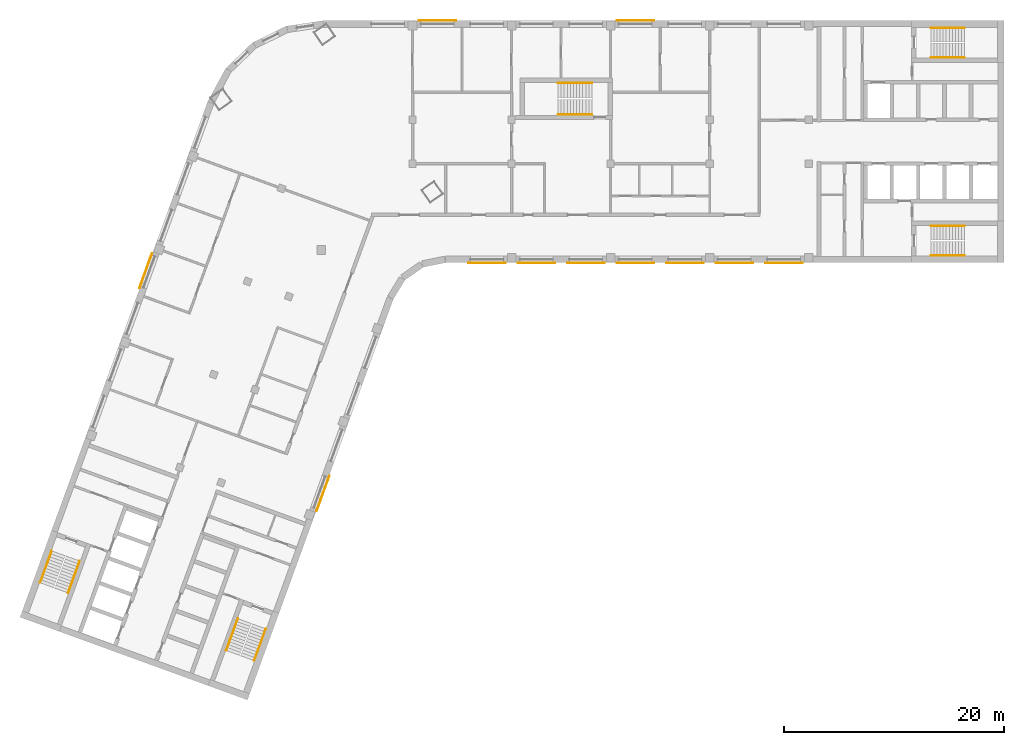
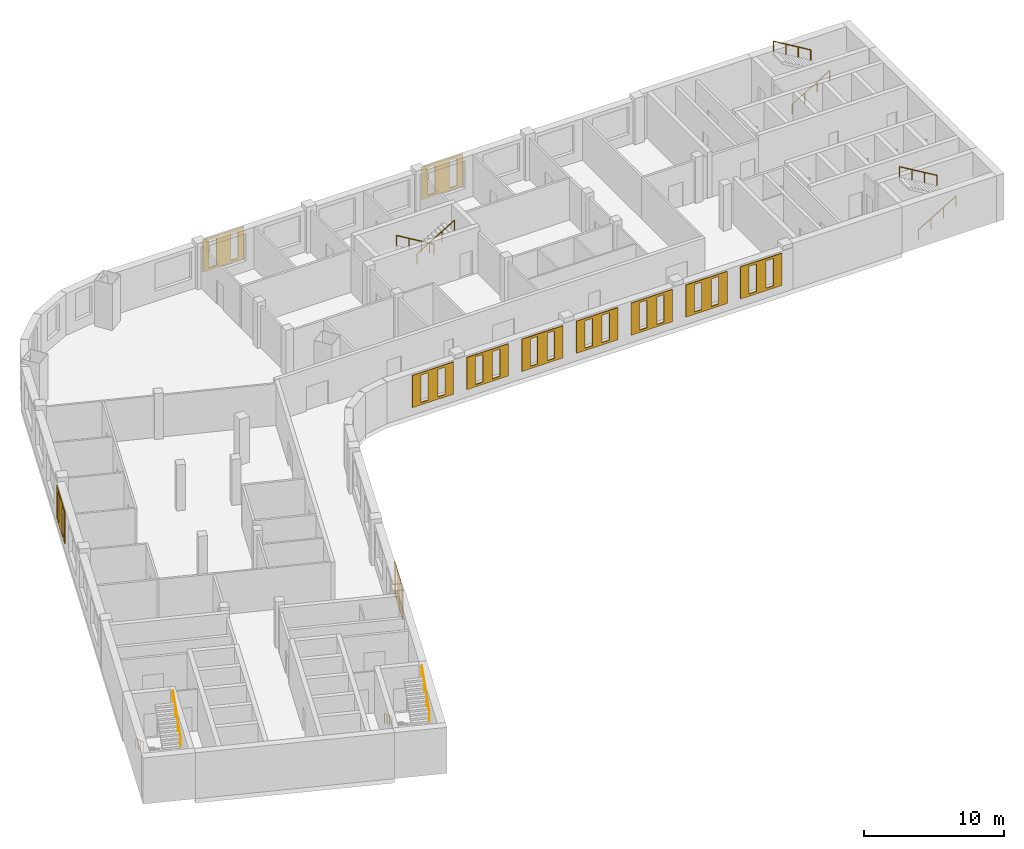
# One storey, part 8 of 8: 11 coverings, 10 railings.
"""IFC4 building model written with IfcOpenShell, lengths in metres."""

from ifc_helpers import new_model, si_unit, direction, frame, origin, origin_2d, place, context, subcontext, project, spatial, polyline, circle, outline, extrude, material, material_profile, profile_set, type_object, element, save


model = new_model("IFC4")

# Units and contexts
model_context = context("Model", 3, precision=1e-05, world=origin(), true_north=direction((0.0, 1.0)))
body_context = subcontext(model_context, "Body", "Model", "MODEL_VIEW")
ifc_project = project(units=[si_unit("LENGTHUNIT", "METRE"), si_unit("AREAUNIT", "SQUARE_METRE"), si_unit("VOLUMEUNIT", "CUBIC_METRE"), si_unit("PLANEANGLEUNIT", "RADIAN"), si_unit("MASSUNIT", "GRAM", prefix="KILO")], contexts=[model_context])

# Site, building, storey
site_placement = place(None, origin())
site = spatial("IfcSite", under=ifc_project, at=site_placement, CompositionType="ELEMENT")
building_placement = place(site_placement, origin())
building = spatial("IfcBuilding", under=site, at=building_placement, Name="Skarvind Civic Tower", CompositionType="ELEMENT")
storey_placement = place(building_placement, frame((0.0, 0.0, 146.5)))
storey = spatial("IfcBuildingStorey", under=building, at=storey_placement, Name="L34", CompositionType="ELEMENT", Elevation=146.5)

# Railings
ifc_material_1 = material(Name="Painted steel handrail", Category="steel")
railing_type = type_object("IfcRailingType", Name="Stair handrail 900", PredefinedType="HANDRAIL", material=ifc_material_1)
railing_1_placement = place(storey_placement, frame((101.35009765625, 135.64990234375, 0.166748046875)))
element("IfcRailing", 1, at=railing_1_placement, inside=storey, type_object=railing_type, Name="Stair handrail", PredefinedType="HANDRAIL", context=body_context, shape_type="SweptSolid", body=[
    extrude(circle(Radius=0.02392578125, at=origin_2d()), frame((0.0, 0.0, 0.8759765625), z_axis=(0.859290745958, 0.0, 0.51148745235), x_axis=(0.0, 1.0, 0.0)), (0.0, 0.0, 1.0), 3.584228515625),
    extrude(circle(Radius=0.02099609375, at=origin_2d()), origin(), (0.0, 0.0, 1.0), 0.851806640625),
    extrude(circle(Radius=0.02099609375, at=origin_2d()), frame((1.026611328125, 0.0, 0.611083984375)), (0.0, 0.0, 1.0), 0.851806640625),
    extrude(circle(Radius=0.02099609375, at=origin_2d()), frame((2.05322265625, 0.0, 1.22216796875)), (0.0, 0.0, 1.0), 0.851806640625),
    extrude(circle(Radius=0.02099609375, at=origin_2d()), frame((3.079833984375, 0.0, 1.833251953125)), (0.0, 0.0, 1.0), 0.851806640625),
])
railing_2_placement = place(storey_placement, frame((104.429931640625, 138.35009765625, 2.166748046875)))
element("IfcRailing", 2, at=railing_2_placement, inside=storey, type_object=railing_type, Name="Stair handrail", PredefinedType="HANDRAIL", context=body_context, shape_type="SweptSolid", body=[
    extrude(circle(Radius=0.02392578125, at=origin_2d()), frame((0.0, 0.0, 0.8759765625), z_axis=(-0.859290745958, 0.0, 0.51148745235), x_axis=(0.0, -1.0, 0.0)), (0.0, 0.0, 1.0), 3.584228515625),
    extrude(circle(Radius=0.02099609375, at=origin_2d()), origin(), (0.0, 0.0, 1.0), 0.851806640625),
    extrude(circle(Radius=0.02099609375, at=origin_2d()), frame((-1.026611328125, 0.0, 0.611083984375)), (0.0, 0.0, 1.0), 0.851806640625),
    extrude(circle(Radius=0.02099609375, at=origin_2d()), frame((-2.05322265625, 0.0, 1.22216796875)), (0.0, 0.0, 1.0), 0.851806640625),
    extrude(circle(Radius=0.02099609375, at=origin_2d()), frame((-3.079833984375, 0.0, 1.833251953125)), (0.0, 0.0, 1.0), 0.851806640625),
])
railing_3_placement = place(storey_placement, frame((101.35009765625, 117.64990234375, 0.166748046875)))
element("IfcRailing", 3, at=railing_3_placement, inside=storey, type_object=railing_type, Name="Stair handrail", PredefinedType="HANDRAIL", context=body_context, shape_type="SweptSolid", body=[
    extrude(circle(Radius=0.02392578125, at=origin_2d()), frame((0.0, 0.0, 0.8759765625), z_axis=(0.859290745958, 0.0, 0.51148745235), x_axis=(0.0, 1.0, 0.0)), (0.0, 0.0, 1.0), 3.584228515625),
    extrude(circle(Radius=0.02099609375, at=origin_2d()), origin(), (0.0, 0.0, 1.0), 0.851806640625),
    extrude(circle(Radius=0.02099609375, at=origin_2d()), frame((1.026611328125, 0.0, 0.611083984375)), (0.0, 0.0, 1.0), 0.851806640625),
    extrude(circle(Radius=0.02099609375, at=origin_2d()), frame((2.05322265625, 0.0, 1.22216796875)), (0.0, 0.0, 1.0), 0.851806640625),
    extrude(circle(Radius=0.02099609375, at=origin_2d()), frame((3.079833984375, 0.0, 1.833251953125)), (0.0, 0.0, 1.0), 0.851806640625),
])
railing_4_placement = place(storey_placement, frame((104.429931640625, 120.35009765625, 2.166748046875)))
element("IfcRailing", 4, at=railing_4_placement, inside=storey, type_object=railing_type, Name="Stair handrail", PredefinedType="HANDRAIL", context=body_context, shape_type="SweptSolid", body=[
    extrude(circle(Radius=0.02392578125, at=origin_2d()), frame((0.0, 0.0, 0.8759765625), z_axis=(-0.859290745958, 0.0, 0.51148745235), x_axis=(0.0, -1.0, 0.0)), (0.0, 0.0, 1.0), 3.584228515625),
    extrude(circle(Radius=0.02099609375, at=origin_2d()), origin(), (0.0, 0.0, 1.0), 0.851806640625),
    extrude(circle(Radius=0.02099609375, at=origin_2d()), frame((-1.026611328125, 0.0, 0.611083984375)), (0.0, 0.0, 1.0), 0.851806640625),
    extrude(circle(Radius=0.02099609375, at=origin_2d()), frame((-2.05322265625, 0.0, 1.22216796875)), (0.0, 0.0, 1.0), 0.851806640625),
    extrude(circle(Radius=0.02099609375, at=origin_2d()), frame((-3.079833984375, 0.0, 1.833251953125)), (0.0, 0.0, 1.0), 0.851806640625),
])
railing_5_placement = place(storey_placement, frame((38.362060546875, 84.64794921875, 0.166748046875)))
element("IfcRailing", 5, at=railing_5_placement, inside=storey, type_object=railing_type, Name="Stair handrail", PredefinedType="HANDRAIL", context=body_context, shape_type="SweptSolid", body=[
    extrude(circle(Radius=0.02392578125, at=origin_2d()), frame((0.0, 0.0, 0.8759765625), z_axis=(-0.293908055923, -0.807480881337, 0.511461319103), x_axis=(0.939689235759, -0.342029443467, 0.0)), (0.0, 0.0, 1.0), 3.584228515625),
    extrude(circle(Radius=0.02099609375, at=origin_2d()), origin(), (0.0, 0.0, 1.0), 0.851806640625),
    extrude(circle(Radius=0.02099609375, at=origin_2d()), frame((-0.35107421875, -0.96484375, 0.611083984375)), (0.0, 0.0, 1.0), 0.851806640625),
    extrude(circle(Radius=0.02099609375, at=origin_2d()), frame((-0.702392578125, -1.929443359375, 1.22216796875)), (0.0, 0.0, 1.0), 0.851806640625),
    extrude(circle(Radius=0.02099609375, at=origin_2d()), frame((-1.053466796875, -2.894287109375, 1.833251953125)), (0.0, 0.0, 1.0), 0.851806640625),
])
railing_6_placement = place(storey_placement, frame((39.845703125, 80.830078125, 2.166748046875)))
element("IfcRailing", 6, at=railing_6_placement, inside=storey, type_object=railing_type, Name="Stair handrail", PredefinedType="HANDRAIL", context=body_context, shape_type="SweptSolid", body=[
    extrude(circle(Radius=0.02392578125, at=origin_2d()), frame((0.0, 0.0, 0.8759765625), z_axis=(0.293908055923, 0.807480881337, 0.511461319103), x_axis=(-0.939689235759, 0.342029443467, 0.0)), (0.0, 0.0, 1.0), 3.584228515625),
    extrude(circle(Radius=0.02099609375, at=origin_2d()), origin(), (0.0, 0.0, 1.0), 0.851806640625),
    extrude(circle(Radius=0.02099609375, at=origin_2d()), frame((0.35107421875, 0.96484375, 0.611083984375)), (0.0, 0.0, 1.0), 0.851806640625),
    extrude(circle(Radius=0.02099609375, at=origin_2d()), frame((0.702392578125, 1.929443359375, 1.22216796875)), (0.0, 0.0, 1.0), 0.851806640625),
    extrude(circle(Radius=0.02099609375, at=origin_2d()), frame((1.053466796875, 2.894287109375, 1.833251953125)), (0.0, 0.0, 1.0), 0.851806640625),
])
railing_7_placement = place(storey_placement, frame((21.447509765625, 90.80419921875, 0.166748046875)))
element("IfcRailing", 7, at=railing_7_placement, inside=storey, type_object=railing_type, Name="Stair handrail", PredefinedType="HANDRAIL", context=body_context, shape_type="SweptSolid", body=[
    extrude(circle(Radius=0.02392578125, at=origin_2d()), frame((0.0, 0.0, 0.8759765625), z_axis=(-0.293845824691, -0.807497044902, 0.511471557163), x_axis=(0.939714709796, -0.34195944817, 0.0)), (0.0, 0.0, 1.0), 3.584228515625),
    extrude(circle(Radius=0.02099609375, at=origin_2d()), origin(), (0.0, 0.0, 1.0), 0.851806640625),
    extrude(circle(Radius=0.02099609375, at=origin_2d()), frame((-0.35107421875, -0.96484375, 0.611083984375)), (0.0, 0.0, 1.0), 0.851806640625),
    extrude(circle(Radius=0.02099609375, at=origin_2d()), frame((-0.7021484375, -1.929443359375, 1.22216796875)), (0.0, 0.0, 1.0), 0.851806640625),
    extrude(circle(Radius=0.02099609375, at=origin_2d()), frame((-1.05322265625, -2.894287109375, 1.833251953125)), (0.0, 0.0, 1.0), 0.851806640625),
])
railing_8_placement = place(storey_placement, frame((22.931396484375, 86.986572265625, 2.166748046875)))
element("IfcRailing", 8, at=railing_8_placement, inside=storey, type_object=railing_type, Name="Stair handrail", PredefinedType="HANDRAIL", context=body_context, shape_type="SweptSolid", body=[
    extrude(circle(Radius=0.02392578125, at=origin_2d()), frame((0.0, 0.0, 0.8759765625), z_axis=(0.293908055923, 0.807480881337, 0.511461319103), x_axis=(-0.939689235759, 0.342029443467, 0.0)), (0.0, 0.0, 1.0), 3.584228515625),
    extrude(circle(Radius=0.02099609375, at=origin_2d()), origin(), (0.0, 0.0, 1.0), 0.851806640625),
    extrude(circle(Radius=0.02099609375, at=origin_2d()), frame((0.35107421875, 0.96484375, 0.611083984375)), (0.0, 0.0, 1.0), 0.851806640625),
    extrude(circle(Radius=0.02099609375, at=origin_2d()), frame((0.702392578125, 1.929443359375, 1.22216796875)), (0.0, 0.0, 1.0), 0.851806640625),
    extrude(circle(Radius=0.02099609375, at=origin_2d()), frame((1.053466796875, 2.894287109375, 1.833251953125)), (0.0, 0.0, 1.0), 0.851806640625),
])
railing_9_placement = place(storey_placement, frame((70.550048828125, 133.35009765625, 0.166748046875)))
element("IfcRailing", 9, at=railing_9_placement, inside=storey, type_object=railing_type, Name="Stair handrail", PredefinedType="HANDRAIL", context=body_context, shape_type="SweptSolid", body=[
    extrude(circle(Radius=0.02392578125, at=origin_2d()), frame((0.0, 0.0, 0.8759765625), z_axis=(-0.859308565015, 0.0, 0.511457515432), x_axis=(0.0, -1.0, 0.0)), (0.0, 0.0, 1.0), 3.58447265625),
    extrude(circle(Radius=0.02099609375, at=origin_2d()), origin(), (0.0, 0.0, 1.0), 0.851806640625),
    extrude(circle(Radius=0.02099609375, at=origin_2d()), frame((-1.026611328125, 0.0, 0.611083984375)), (0.0, 0.0, 1.0), 0.851806640625),
    extrude(circle(Radius=0.02099609375, at=origin_2d()), frame((-2.053466796875, 0.0, 1.22216796875)), (0.0, 0.0, 1.0), 0.851806640625),
    extrude(circle(Radius=0.02099609375, at=origin_2d()), frame((-3.080078125, 0.0, 1.833251953125)), (0.0, 0.0, 1.0), 0.851806640625),
])
railing_10_placement = place(storey_placement, frame((67.469970703125, 130.449951171875, 2.166748046875)))
element("IfcRailing", 10, at=railing_10_placement, inside=storey, type_object=railing_type, Name="Stair handrail", PredefinedType="HANDRAIL", context=body_context, shape_type="SweptSolid", body=[
    extrude(circle(Radius=0.02392578125, at=origin_2d()), frame((0.0, 0.0, 0.8759765625), z_axis=(0.859308565015, 0.0, 0.511457515432), x_axis=(0.0, 1.0, 0.0)), (0.0, 0.0, 1.0), 3.58447265625),
    extrude(circle(Radius=0.02099609375, at=origin_2d()), origin(), (0.0, 0.0, 1.0), 0.851806640625),
    extrude(circle(Radius=0.02099609375, at=origin_2d()), frame((1.026611328125, 0.0, 0.611083984375)), (0.0, 0.0, 1.0), 0.851806640625),
    extrude(circle(Radius=0.02099609375, at=origin_2d()), frame((2.053466796875, 0.0, 1.22216796875)), (0.0, 0.0, 1.0), 0.851806640625),
    extrude(circle(Radius=0.02099609375, at=origin_2d()), frame((3.080078125, 0.0, 1.833251953125)), (0.0, 0.0, 1.0), 0.851806640625),
])

# Coverings
ifc_material_2 = material(Name="Terracotta", Category="masonry")
ifc_material_profile_1 = material_profile(ifc_material_2, outline(polyline([(-1.699951171875, -1.39990234375), (1.699951171875, -1.39990234375), (1.699951171875, 1.39990234375), (-1.699951171875, 1.39990234375), (-1.699951171875, -1.39990234375)]), holes=[polyline([(-1.0, -1.18994140625), (-0.39990234375, -1.18994140625), (-0.39990234375, 1.18994140625), (-1.0, 1.18994140625), (-1.0, -1.18994140625)]), polyline([(0.39990234375, -1.18994140625), (1.0, -1.18994140625), (1.0, 1.18994140625), (0.39990234375, 1.18994140625), (0.39990234375, -1.18994140625)])]), Name="TERRACOTTA SCREEN 3400 x 2800, SLIT PITCH 1400")
ifc_profile_set_1 = profile_set([ifc_material_profile_1], Name="Terracotta")
covering_type_1 = type_object("IfcCoveringType", Name="TERRACOTTA SCREEN 3400 x 2800, SLIT PITCH 1400", PredefinedType="CLADDING", material=ifc_profile_set_1)
for number, where, z_axis, x_axis, name in (
    (11, (88.0, 117.0, 2.10009765625), (0.0, -1.0, 0.0), (1.0, 0.0, 0.0), "TERRACOTTA SCREEN"),
    (12, (83.5, 117.0, 2.10009765625), (0.0, -1.0, 0.0), (1.0, 0.0, 0.0), "TERRACOTTA SCREEN"),
    (13, (79.0, 117.0, 2.10009765625), (0.0, -1.0, 0.0), (1.0, 0.0, 0.0), "TERRACOTTA SCREEN"),
    (14, (74.5, 117.0, 2.10009765625), (0.0, -1.0, 0.0), (1.0, 0.0, 0.0), "TERRACOTTA SCREEN"),
    (15, (70.0, 117.0, 2.10009765625), (0.0, -1.0, 0.0), (1.0, 0.0, 0.0), "TERRACOTTA SCREEN"),
    (16, (65.5, 117.0, 2.10009765625), (0.0, -1.0, 0.0), (1.0, 0.0, 0.0), "TERRACOTTA SCREEN"),
    (17, (61.0, 117.0, 2.10009765625), (0.0, -1.0, 0.0), (1.0, 0.0, 0.0), "TERRACOTTA SCREEN"),
):
    element("IfcCovering", number, at=place(storey_placement, frame(where, z_axis=z_axis, x_axis=x_axis)), inside=storey, type_object=covering_type_1, Name=name, PredefinedType="CLADDING", context=body_context, shape_type="SweptSolid", body=[
        extrude(outline(polyline([(-1.699951171875, -1.39990234375), (1.699951171875, -1.39990234375), (1.699951171875, 1.39990234375), (-1.699951171875, 1.39990234375), (-1.699951171875, -1.39990234375)]), holes=[polyline([(-1.0, -1.18994140625), (-0.39990234375, -1.18994140625), (-0.39990234375, 1.18994140625), (-1.0, 1.18994140625), (-1.0, -1.18994140625)]), polyline([(0.39990234375, -1.18994140625), (1.0, -1.18994140625), (1.0, 1.18994140625), (0.39990234375, 1.18994140625), (0.39990234375, -1.18994140625)])]), origin(), (0.0, 0.0, 1.0), 0.06005859375),
    ])
ifc_material_profile_2 = material_profile(ifc_material_2, outline(polyline([(-1.699951171875, -1.39990234375), (1.699951171875, -1.39990234375), (1.699951171875, 1.39990234375), (-1.699951171875, 1.39990234375), (-1.699951171875, -1.39990234375)]), holes=[polyline([(-1.199951171875, -1.18994140625), (-0.60009765625, -1.18994140625), (-0.60009765625, 1.18994140625), (-1.199951171875, 1.18994140625), (-1.199951171875, -1.18994140625)]), polyline([(0.60009765625, -1.18994140625), (1.199951171875, -1.18994140625), (1.199951171875, 1.18994140625), (0.60009765625, 1.18994140625), (0.60009765625, -1.18994140625)])]), Name="TERRACOTTA SCREEN 3400 x 2800, SLIT PITCH 1800")
ifc_profile_set_2 = profile_set([ifc_material_profile_2], Name="Terracotta")
covering_type_2 = type_object("IfcCoveringType", Name="TERRACOTTA SCREEN 3400 x 2800, SLIT PITCH 1800", PredefinedType="CLADDING", material=ifc_profile_set_2)
for number, where, z_axis, x_axis, name in (
    (18, (46.075927734375, 96.047119140625, 2.10009765625), (0.939793423488, -0.341743063087, 0.0), (0.341743063087, 0.939793423488, 0.0), "TERRACOTTA SCREEN"),
    (19, (56.5, 139.0, 2.10009765625), (0.0, 1.0, 0.0), (-1.0, 0.0, 0.0), "TERRACOTTA SCREEN"),
    (20, (74.5, 139.0, 2.10009765625), (0.0, 1.0, 0.0), (-1.0, 0.0, 0.0), "TERRACOTTA SCREEN"),
    (21, (30.02001953125, 116.25732421875, 2.10009765625), (-0.939793423488, 0.341743063087, 0.0), (-0.341743063087, -0.939793423488, 0.0), "TERRACOTTA SCREEN"),
):
    element("IfcCovering", number, at=place(storey_placement, frame(where, z_axis=z_axis, x_axis=x_axis)), inside=storey, type_object=covering_type_2, Name=name, PredefinedType="CLADDING", context=body_context, shape_type="SweptSolid", body=[
        extrude(outline(polyline([(-1.699951171875, -1.39990234375), (1.699951171875, -1.39990234375), (1.699951171875, 1.39990234375), (-1.699951171875, 1.39990234375), (-1.699951171875, -1.39990234375)]), holes=[polyline([(-1.199951171875, -1.18994140625), (-0.60009765625, -1.18994140625), (-0.60009765625, 1.18994140625), (-1.199951171875, 1.18994140625), (-1.199951171875, -1.18994140625)]), polyline([(0.60009765625, -1.18994140625), (1.199951171875, -1.18994140625), (1.199951171875, 1.18994140625), (0.60009765625, 1.18994140625), (0.60009765625, -1.18994140625)])]), origin(), (0.0, 0.0, 1.0), 0.06005859375),
    ])

save(model, "model.ifc")
